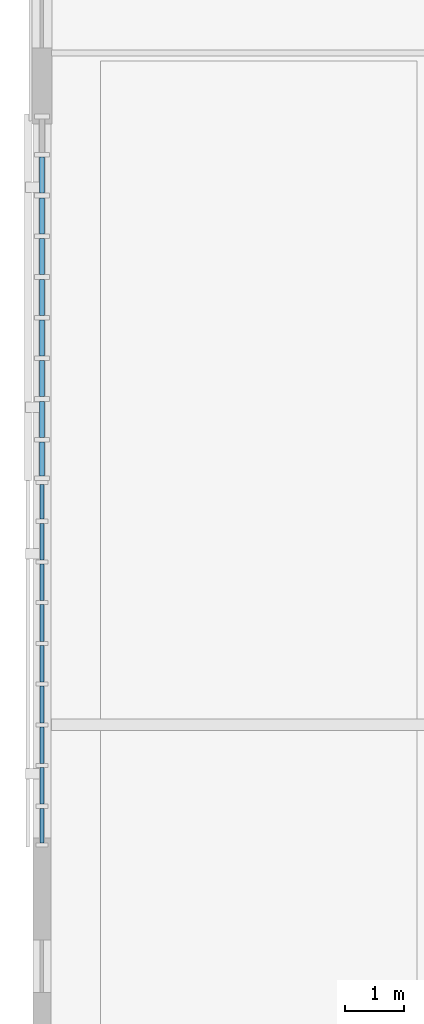
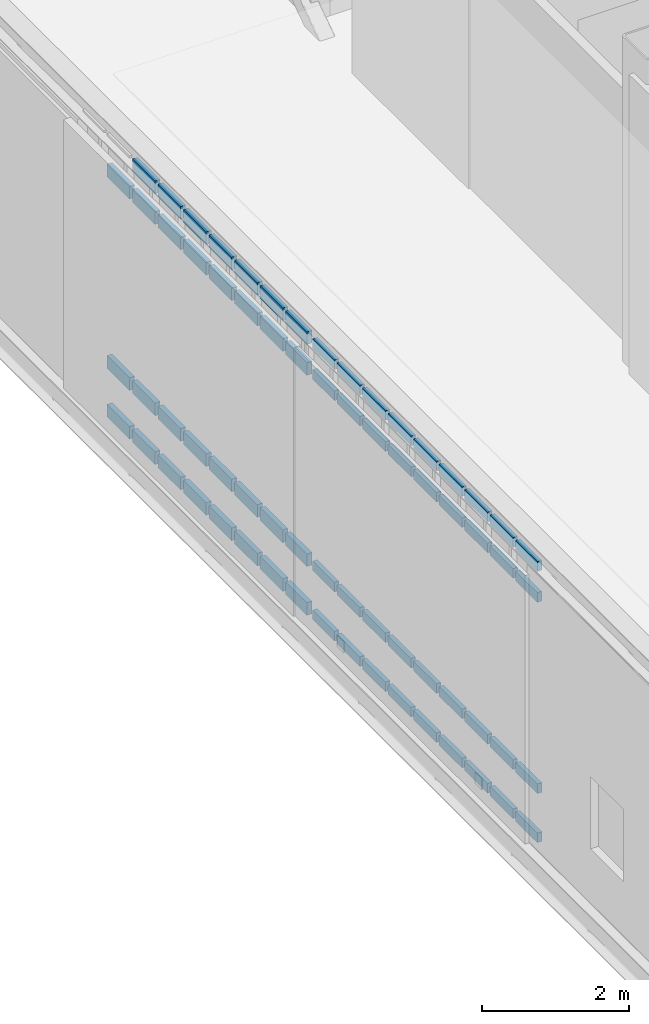
# One storey, part 58 of 127: 67 members, 2 elements without a shape of their own.
"""IFC4 building model written with IfcOpenShell, lengths in metres."""

from ifc_helpers import new_model, si_unit, direction, frame, origin, origin_2d, place, context, subcontext, project, spatial, rectangle, extrude, material, material_profile, profile_set, type_object, element, aggregate, save


model = new_model("IFC4")

# Units and contexts
model_context = context("Model", 3, precision=1e-05, world=origin(), true_north=direction((0.0, 1.0)))
body_context = subcontext(model_context, "Body", "Model", "MODEL_VIEW")
ifc_project = project(units=[si_unit("LENGTHUNIT", "METRE"), si_unit("AREAUNIT", "SQUARE_METRE"), si_unit("VOLUMEUNIT", "CUBIC_METRE"), si_unit("PLANEANGLEUNIT", "RADIAN"), si_unit("MASSUNIT", "GRAM", prefix="KILO")], contexts=[model_context])

# Site, building, storey
site_placement = place(None, origin())
site = spatial("IfcSite", under=ifc_project, at=site_placement, CompositionType="ELEMENT")
building_placement = place(site_placement, origin())
building = spatial("IfcBuilding", under=site, at=building_placement, Name="Larkvane Passage Sports Hall", CompositionType="ELEMENT")
storey_placement = place(building_placement, frame((0.0, 0.0, 5.39990234375)))
storey = spatial("IfcBuildingStorey", under=building, at=storey_placement, Name="L01", CompositionType="ELEMENT", Elevation=5.39990234375)

# Curtain wall, members
ifc_material_1 = material(Name="Thermally broken aluminium and low-E glazing", Category="aluminium")
curtain_wall_type_1 = type_object("IfcCurtainWallType", Name="CW-UNIT-VEIL", PredefinedType="USERDEFINED", material=ifc_material_1)
curtain_wall_1_placement = place(storey_placement, origin())
curtain_wall_1 = element("IfcCurtainWall", 1, at=curtain_wall_1_placement, inside=storey, type_object=curtain_wall_type_1, Name="Curtain wall CW5-L01-037", ObjectType="UNITISED CURTAIN WALL", PredefinedType="USERDEFINED")
ifc_material_2 = material(Name="Anodised aluminium 6063-T6", Category="aluminium")
ifc_material_profile_1 = material_profile(ifc_material_2, rectangle(XDim=0.070068359375, YDim=0.159912109375, at=origin_2d()), Name="ALU-TRN-70x160")
ifc_profile_set_1 = profile_set([ifc_material_profile_1], Name="Anodised aluminium 6063-T6")
member_type_1 = type_object("IfcMemberType", Name="CW-TRN-70x160", PredefinedType="USERDEFINED", material=ifc_profile_set_1)
member_1_placement = place(storey_placement, frame((27.800048828125, 66.65185546875, 0.03515625), z_axis=(0.0, 1.0, 0.0), x_axis=(-1.0, 0.0, 0.0)))
member_1 = element("IfcMember", 2, at=member_1_placement, type_object=member_type_1, Name="CW-02 transom 1.1", ObjectType="TRANSOM", PredefinedType="USERDEFINED", context=body_context, shape_type="SweptSolid", body=[
    extrude(rectangle(XDim=0.070068359375, YDim=0.159912109375, at=origin_2d()), origin(), (0.0, 0.0, 1.0), 0.58984375),
])
member_2_placement = place(storey_placement, frame((27.800048828125, 66.65185546875, 0.85009765625), z_axis=(0.0, 1.0, 0.0), x_axis=(-1.0, 0.0, 0.0)))
member_2 = element("IfcMember", 3, at=member_2_placement, type_object=member_type_1, Name="CW-02 transom 1.2", ObjectType="TRANSOM", PredefinedType="USERDEFINED", context=body_context, shape_type="SweptSolid", body=[
    extrude(rectangle(XDim=0.070068359375, YDim=0.159912109375, at=origin_2d()), origin(), (0.0, 0.0, 1.0), 0.58984375),
])
member_3_placement = place(storey_placement, frame((27.800048828125, 66.65185546875, 4.028076171875), z_axis=(0.0, 1.0, 0.0), x_axis=(-1.0, 0.0, 0.0)))
member_3 = element("IfcMember", 4, at=member_3_placement, type_object=member_type_1, Name="CW-02 transom 1.3", ObjectType="TRANSOM", PredefinedType="USERDEFINED", context=body_context, shape_type="SweptSolid", body=[
    extrude(rectangle(XDim=0.070068359375, YDim=0.159912109375, at=origin_2d()), origin(), (0.0, 0.0, 1.0), 0.58984375),
])
member_4_placement = place(storey_placement, frame((27.800048828125, 66.65185546875, 4.543212890625), z_axis=(0.0, 1.0, 0.0), x_axis=(-1.0, 0.0, 0.0)))
member_4 = element("IfcMember", 5, at=member_4_placement, type_object=member_type_1, Name="CW-02 transom 1.4", ObjectType="TRANSOM", PredefinedType="USERDEFINED", context=body_context, shape_type="SweptSolid", body=[
    extrude(rectangle(XDim=0.070068359375, YDim=0.159912109375, at=origin_2d()), origin(), (0.0, 0.0, 1.0), 0.58984375),
])
member_5_placement = place(storey_placement, frame((27.800048828125, 67.311767578125, 0.03515625), z_axis=(0.0, 1.0, 0.0), x_axis=(-1.0, 0.0, 0.0)))
member_5 = element("IfcMember", 6, at=member_5_placement, type_object=member_type_1, Name="CW-02 transom 2.1", ObjectType="TRANSOM", PredefinedType="USERDEFINED", context=body_context, shape_type="SweptSolid", body=[
    extrude(rectangle(XDim=0.070068359375, YDim=0.159912109375, at=origin_2d()), origin(), (0.0, 0.0, 1.0), 0.625),
])
member_6_placement = place(storey_placement, frame((27.800048828125, 67.311767578125, 0.85009765625), z_axis=(0.0, 1.0, 0.0), x_axis=(-1.0, 0.0, 0.0)))
member_6 = element("IfcMember", 7, at=member_6_placement, type_object=member_type_1, Name="CW-02 transom 2.2", ObjectType="TRANSOM", PredefinedType="USERDEFINED", context=body_context, shape_type="SweptSolid", body=[
    extrude(rectangle(XDim=0.070068359375, YDim=0.159912109375, at=origin_2d()), origin(), (0.0, 0.0, 1.0), 0.625),
])
member_7_placement = place(storey_placement, frame((27.800048828125, 67.311767578125, 4.028076171875), z_axis=(0.0, 1.0, 0.0), x_axis=(-1.0, 0.0, 0.0)))
member_7 = element("IfcMember", 8, at=member_7_placement, type_object=member_type_1, Name="CW-02 transom 2.3", ObjectType="TRANSOM", PredefinedType="USERDEFINED", context=body_context, shape_type="SweptSolid", body=[
    extrude(rectangle(XDim=0.070068359375, YDim=0.159912109375, at=origin_2d()), origin(), (0.0, 0.0, 1.0), 0.625),
])
member_8_placement = place(storey_placement, frame((27.800048828125, 67.311767578125, 4.543212890625), z_axis=(0.0, 1.0, 0.0), x_axis=(-1.0, 0.0, 0.0)))
member_8 = element("IfcMember", 9, at=member_8_placement, type_object=member_type_1, Name="CW-02 transom 2.4", ObjectType="TRANSOM", PredefinedType="USERDEFINED", context=body_context, shape_type="SweptSolid", body=[
    extrude(rectangle(XDim=0.070068359375, YDim=0.159912109375, at=origin_2d()), origin(), (0.0, 0.0, 1.0), 0.625),
])
member_9_placement = place(storey_placement, frame((27.800048828125, 68.006591796875, 0.03515625), z_axis=(0.0, 1.0, 0.0), x_axis=(-1.0, 0.0, 0.0)))
member_9 = element("IfcMember", 10, at=member_9_placement, type_object=member_type_1, Name="CW-02 transom 3.1", ObjectType="TRANSOM", PredefinedType="USERDEFINED", context=body_context, shape_type="SweptSolid", body=[
    extrude(rectangle(XDim=0.070068359375, YDim=0.159912109375, at=origin_2d()), origin(), (0.0, 0.0, 1.0), 0.625),
])
member_10_placement = place(storey_placement, frame((27.800048828125, 68.006591796875, 0.85009765625), z_axis=(0.0, 1.0, 0.0), x_axis=(-1.0, 0.0, 0.0)))
member_10 = element("IfcMember", 11, at=member_10_placement, type_object=member_type_1, Name="CW-02 transom 3.2", ObjectType="TRANSOM", PredefinedType="USERDEFINED", context=body_context, shape_type="SweptSolid", body=[
    extrude(rectangle(XDim=0.070068359375, YDim=0.159912109375, at=origin_2d()), origin(), (0.0, 0.0, 1.0), 0.625),
])
member_11_placement = place(storey_placement, frame((27.800048828125, 68.006591796875, 4.028076171875), z_axis=(0.0, 1.0, 0.0), x_axis=(-1.0, 0.0, 0.0)))
member_11 = element("IfcMember", 12, at=member_11_placement, type_object=member_type_1, Name="CW-02 transom 3.3", ObjectType="TRANSOM", PredefinedType="USERDEFINED", context=body_context, shape_type="SweptSolid", body=[
    extrude(rectangle(XDim=0.070068359375, YDim=0.159912109375, at=origin_2d()), origin(), (0.0, 0.0, 1.0), 0.625),
])
member_12_placement = place(storey_placement, frame((27.800048828125, 68.006591796875, 4.543212890625), z_axis=(0.0, 1.0, 0.0), x_axis=(-1.0, 0.0, 0.0)))
member_12 = element("IfcMember", 13, at=member_12_placement, type_object=member_type_1, Name="CW-02 transom 3.4", ObjectType="TRANSOM", PredefinedType="USERDEFINED", context=body_context, shape_type="SweptSolid", body=[
    extrude(rectangle(XDim=0.070068359375, YDim=0.159912109375, at=origin_2d()), origin(), (0.0, 0.0, 1.0), 0.625),
])
member_13_placement = place(storey_placement, frame((27.800048828125, 68.70166015625, 0.03515625), z_axis=(0.0, 1.0, 0.0), x_axis=(-1.0, 0.0, 0.0)))
member_13 = element("IfcMember", 14, at=member_13_placement, type_object=member_type_1, Name="CW-02 transom 4.1", ObjectType="TRANSOM", PredefinedType="USERDEFINED", context=body_context, shape_type="SweptSolid", body=[
    extrude(rectangle(XDim=0.070068359375, YDim=0.159912109375, at=origin_2d()), origin(), (0.0, 0.0, 1.0), 0.625),
])
member_14_placement = place(storey_placement, frame((27.800048828125, 68.70166015625, 0.85009765625), z_axis=(0.0, 1.0, 0.0), x_axis=(-1.0, 0.0, 0.0)))
member_14 = element("IfcMember", 15, at=member_14_placement, type_object=member_type_1, Name="CW-02 transom 4.2", ObjectType="TRANSOM", PredefinedType="USERDEFINED", context=body_context, shape_type="SweptSolid", body=[
    extrude(rectangle(XDim=0.070068359375, YDim=0.159912109375, at=origin_2d()), origin(), (0.0, 0.0, 1.0), 0.625),
])
member_15_placement = place(storey_placement, frame((27.800048828125, 68.70166015625, 4.028076171875), z_axis=(0.0, 1.0, 0.0), x_axis=(-1.0, 0.0, 0.0)))
member_15 = element("IfcMember", 16, at=member_15_placement, type_object=member_type_1, Name="CW-02 transom 4.3", ObjectType="TRANSOM", PredefinedType="USERDEFINED", context=body_context, shape_type="SweptSolid", body=[
    extrude(rectangle(XDim=0.070068359375, YDim=0.159912109375, at=origin_2d()), origin(), (0.0, 0.0, 1.0), 0.625),
])
member_16_placement = place(storey_placement, frame((27.800048828125, 68.70166015625, 4.543212890625), z_axis=(0.0, 1.0, 0.0), x_axis=(-1.0, 0.0, 0.0)))
member_16 = element("IfcMember", 17, at=member_16_placement, type_object=member_type_1, Name="CW-02 transom 4.4", ObjectType="TRANSOM", PredefinedType="USERDEFINED", context=body_context, shape_type="SweptSolid", body=[
    extrude(rectangle(XDim=0.070068359375, YDim=0.159912109375, at=origin_2d()), origin(), (0.0, 0.0, 1.0), 0.625),
])
member_17_placement = place(storey_placement, frame((27.800048828125, 69.396728515625, 0.03515625), z_axis=(0.0, 1.0, 0.0), x_axis=(-1.0, 0.0, 0.0)))
member_17 = element("IfcMember", 18, at=member_17_placement, type_object=member_type_1, Name="CW-02 transom 5.1", ObjectType="TRANSOM", PredefinedType="USERDEFINED", context=body_context, shape_type="SweptSolid", body=[
    extrude(rectangle(XDim=0.070068359375, YDim=0.159912109375, at=origin_2d()), origin(), (0.0, 0.0, 1.0), 0.624755859375),
])
member_18_placement = place(storey_placement, frame((27.800048828125, 69.396728515625, 0.85009765625), z_axis=(0.0, 1.0, 0.0), x_axis=(-1.0, 0.0, 0.0)))
member_18 = element("IfcMember", 19, at=member_18_placement, type_object=member_type_1, Name="CW-02 transom 5.2", ObjectType="TRANSOM", PredefinedType="USERDEFINED", context=body_context, shape_type="SweptSolid", body=[
    extrude(rectangle(XDim=0.070068359375, YDim=0.159912109375, at=origin_2d()), origin(), (0.0, 0.0, 1.0), 0.624755859375),
])
member_19_placement = place(storey_placement, frame((27.800048828125, 69.396728515625, 4.028076171875), z_axis=(0.0, 1.0, 0.0), x_axis=(-1.0, 0.0, 0.0)))
member_19 = element("IfcMember", 20, at=member_19_placement, type_object=member_type_1, Name="CW-02 transom 5.3", ObjectType="TRANSOM", PredefinedType="USERDEFINED", context=body_context, shape_type="SweptSolid", body=[
    extrude(rectangle(XDim=0.070068359375, YDim=0.159912109375, at=origin_2d()), origin(), (0.0, 0.0, 1.0), 0.624755859375),
])
member_20_placement = place(storey_placement, frame((27.800048828125, 69.396728515625, 4.543212890625), z_axis=(0.0, 1.0, 0.0), x_axis=(-1.0, 0.0, 0.0)))
member_20 = element("IfcMember", 21, at=member_20_placement, type_object=member_type_1, Name="CW-02 transom 5.4", ObjectType="TRANSOM", PredefinedType="USERDEFINED", context=body_context, shape_type="SweptSolid", body=[
    extrude(rectangle(XDim=0.070068359375, YDim=0.159912109375, at=origin_2d()), origin(), (0.0, 0.0, 1.0), 0.624755859375),
])
member_21_placement = place(storey_placement, frame((27.800048828125, 70.091552734375, 0.03515625), z_axis=(0.0, 1.0, 0.0), x_axis=(-1.0, 0.0, 0.0)))
member_21 = element("IfcMember", 22, at=member_21_placement, type_object=member_type_1, Name="CW-02 transom 6.1", ObjectType="TRANSOM", PredefinedType="USERDEFINED", context=body_context, shape_type="SweptSolid", body=[
    extrude(rectangle(XDim=0.070068359375, YDim=0.159912109375, at=origin_2d()), origin(), (0.0, 0.0, 1.0), 0.625),
])
member_22_placement = place(storey_placement, frame((27.800048828125, 70.091552734375, 0.85009765625), z_axis=(0.0, 1.0, 0.0), x_axis=(-1.0, 0.0, 0.0)))
member_22 = element("IfcMember", 23, at=member_22_placement, type_object=member_type_1, Name="CW-02 transom 6.2", ObjectType="TRANSOM", PredefinedType="USERDEFINED", context=body_context, shape_type="SweptSolid", body=[
    extrude(rectangle(XDim=0.070068359375, YDim=0.159912109375, at=origin_2d()), origin(), (0.0, 0.0, 1.0), 0.625),
])
member_23_placement = place(storey_placement, frame((27.800048828125, 70.091552734375, 4.028076171875), z_axis=(0.0, 1.0, 0.0), x_axis=(-1.0, 0.0, 0.0)))
member_23 = element("IfcMember", 24, at=member_23_placement, type_object=member_type_1, Name="CW-02 transom 6.3", ObjectType="TRANSOM", PredefinedType="USERDEFINED", context=body_context, shape_type="SweptSolid", body=[
    extrude(rectangle(XDim=0.070068359375, YDim=0.159912109375, at=origin_2d()), origin(), (0.0, 0.0, 1.0), 0.625),
])
member_24_placement = place(storey_placement, frame((27.800048828125, 70.091552734375, 4.543212890625), z_axis=(0.0, 1.0, 0.0), x_axis=(-1.0, 0.0, 0.0)))
member_24 = element("IfcMember", 25, at=member_24_placement, type_object=member_type_1, Name="CW-02 transom 6.4", ObjectType="TRANSOM", PredefinedType="USERDEFINED", context=body_context, shape_type="SweptSolid", body=[
    extrude(rectangle(XDim=0.070068359375, YDim=0.159912109375, at=origin_2d()), origin(), (0.0, 0.0, 1.0), 0.625),
])
member_25_placement = place(storey_placement, frame((27.800048828125, 70.78662109375, 0.03515625), z_axis=(0.0, 1.0, 0.0), x_axis=(-1.0, 0.0, 0.0)))
member_25 = element("IfcMember", 26, at=member_25_placement, type_object=member_type_1, Name="CW-02 transom 7.1", ObjectType="TRANSOM", PredefinedType="USERDEFINED", context=body_context, shape_type="SweptSolid", body=[
    extrude(rectangle(XDim=0.070068359375, YDim=0.159912109375, at=origin_2d()), origin(), (0.0, 0.0, 1.0), 0.624755859375),
])
member_26_placement = place(storey_placement, frame((27.800048828125, 70.78662109375, 0.85009765625), z_axis=(0.0, 1.0, 0.0), x_axis=(-1.0, 0.0, 0.0)))
member_26 = element("IfcMember", 27, at=member_26_placement, type_object=member_type_1, Name="CW-02 transom 7.2", ObjectType="TRANSOM", PredefinedType="USERDEFINED", context=body_context, shape_type="SweptSolid", body=[
    extrude(rectangle(XDim=0.070068359375, YDim=0.159912109375, at=origin_2d()), origin(), (0.0, 0.0, 1.0), 0.624755859375),
])
member_27_placement = place(storey_placement, frame((27.800048828125, 70.78662109375, 4.028076171875), z_axis=(0.0, 1.0, 0.0), x_axis=(-1.0, 0.0, 0.0)))
member_27 = element("IfcMember", 28, at=member_27_placement, type_object=member_type_1, Name="CW-02 transom 7.3", ObjectType="TRANSOM", PredefinedType="USERDEFINED", context=body_context, shape_type="SweptSolid", body=[
    extrude(rectangle(XDim=0.070068359375, YDim=0.159912109375, at=origin_2d()), origin(), (0.0, 0.0, 1.0), 0.624755859375),
])
member_28_placement = place(storey_placement, frame((27.800048828125, 70.78662109375, 4.543212890625), z_axis=(0.0, 1.0, 0.0), x_axis=(-1.0, 0.0, 0.0)))
member_28 = element("IfcMember", 29, at=member_28_placement, type_object=member_type_1, Name="CW-02 transom 7.4", ObjectType="TRANSOM", PredefinedType="USERDEFINED", context=body_context, shape_type="SweptSolid", body=[
    extrude(rectangle(XDim=0.070068359375, YDim=0.159912109375, at=origin_2d()), origin(), (0.0, 0.0, 1.0), 0.624755859375),
])
member_29_placement = place(storey_placement, frame((27.800048828125, 71.4814453125, 0.03515625), z_axis=(0.0, 1.0, 0.0), x_axis=(-1.0, 0.0, 0.0)))
member_29 = element("IfcMember", 30, at=member_29_placement, type_object=member_type_1, Name="CW-02 transom 8.1", ObjectType="TRANSOM", PredefinedType="USERDEFINED", context=body_context, shape_type="SweptSolid", body=[
    extrude(rectangle(XDim=0.070068359375, YDim=0.159912109375, at=origin_2d()), origin(), (0.0, 0.0, 1.0), 0.625),
])
member_30_placement = place(storey_placement, frame((27.800048828125, 71.4814453125, 0.85009765625), z_axis=(0.0, 1.0, 0.0), x_axis=(-1.0, 0.0, 0.0)))
member_30 = element("IfcMember", 31, at=member_30_placement, type_object=member_type_1, Name="CW-02 transom 8.2", ObjectType="TRANSOM", PredefinedType="USERDEFINED", context=body_context, shape_type="SweptSolid", body=[
    extrude(rectangle(XDim=0.070068359375, YDim=0.159912109375, at=origin_2d()), origin(), (0.0, 0.0, 1.0), 0.625),
])
member_31_placement = place(storey_placement, frame((27.800048828125, 71.4814453125, 4.028076171875), z_axis=(0.0, 1.0, 0.0), x_axis=(-1.0, 0.0, 0.0)))
member_31 = element("IfcMember", 32, at=member_31_placement, type_object=member_type_1, Name="CW-02 transom 8.3", ObjectType="TRANSOM", PredefinedType="USERDEFINED", context=body_context, shape_type="SweptSolid", body=[
    extrude(rectangle(XDim=0.070068359375, YDim=0.159912109375, at=origin_2d()), origin(), (0.0, 0.0, 1.0), 0.625),
])
member_32_placement = place(storey_placement, frame((27.800048828125, 71.4814453125, 4.543212890625), z_axis=(0.0, 1.0, 0.0), x_axis=(-1.0, 0.0, 0.0)))
member_32 = element("IfcMember", 33, at=member_32_placement, type_object=member_type_1, Name="CW-02 transom 8.4", ObjectType="TRANSOM", PredefinedType="USERDEFINED", context=body_context, shape_type="SweptSolid", body=[
    extrude(rectangle(XDim=0.070068359375, YDim=0.159912109375, at=origin_2d()), origin(), (0.0, 0.0, 1.0), 0.625),
])
member_33_placement = place(storey_placement, frame((27.800048828125, 72.176513671875, 0.03515625), z_axis=(0.0, 1.0, 0.0), x_axis=(-1.0, 0.0, 0.0)))
member_33 = element("IfcMember", 34, at=member_33_placement, type_object=member_type_1, Name="CW-02 transom 9.1", ObjectType="TRANSOM", PredefinedType="USERDEFINED", context=body_context, shape_type="SweptSolid", body=[
    extrude(rectangle(XDim=0.070068359375, YDim=0.159912109375, at=origin_2d()), origin(), (0.0, 0.0, 1.0), 0.58984375),
])
member_34_placement = place(storey_placement, frame((27.800048828125, 72.176513671875, 0.85009765625), z_axis=(0.0, 1.0, 0.0), x_axis=(-1.0, 0.0, 0.0)))
member_34 = element("IfcMember", 35, at=member_34_placement, type_object=member_type_1, Name="CW-02 transom 9.2", ObjectType="TRANSOM", PredefinedType="USERDEFINED", context=body_context, shape_type="SweptSolid", body=[
    extrude(rectangle(XDim=0.070068359375, YDim=0.159912109375, at=origin_2d()), origin(), (0.0, 0.0, 1.0), 0.58984375),
])
member_35_placement = place(storey_placement, frame((27.800048828125, 72.176513671875, 4.028076171875), z_axis=(0.0, 1.0, 0.0), x_axis=(-1.0, 0.0, 0.0)))
member_35 = element("IfcMember", 36, at=member_35_placement, type_object=member_type_1, Name="CW-02 transom 9.3", ObjectType="TRANSOM", PredefinedType="USERDEFINED", context=body_context, shape_type="SweptSolid", body=[
    extrude(rectangle(XDim=0.070068359375, YDim=0.159912109375, at=origin_2d()), origin(), (0.0, 0.0, 1.0), 0.58984375),
])
member_36_placement = place(storey_placement, frame((27.800048828125, 72.176513671875, 4.543212890625), z_axis=(0.0, 1.0, 0.0), x_axis=(-1.0, 0.0, 0.0)))
member_36 = element("IfcMember", 37, at=member_36_placement, type_object=member_type_1, Name="CW-02 transom 9.4", ObjectType="TRANSOM", PredefinedType="USERDEFINED", context=body_context, shape_type="SweptSolid", body=[
    extrude(rectangle(XDim=0.070068359375, YDim=0.159912109375, at=origin_2d()), origin(), (0.0, 0.0, 1.0), 0.58984375),
])
aggregate(curtain_wall_1, [member_1, member_2, member_3, member_4, member_5, member_6, member_7, member_8, member_9, member_10, member_11, member_12, member_13, member_14, member_15, member_16, member_17, member_18, member_19, member_20, member_21, member_22, member_23, member_24, member_25, member_26, member_27, member_28, member_29, member_30, member_31, member_32, member_33, member_34, member_35, member_36])

curtain_wall_type_2 = type_object("IfcCurtainWallType", Name="CW-STICK-FOYER", PredefinedType="USERDEFINED", material=ifc_material_1)
curtain_wall_2_placement = place(storey_placement, origin())
curtain_wall_2 = element("IfcCurtainWall", 38, at=curtain_wall_2_placement, inside=storey, type_object=curtain_wall_type_2, Name="Curtain wall CW5-L01-038", ObjectType="STICK CURTAIN WALL", PredefinedType="USERDEFINED")
ifc_material_profile_2 = material_profile(ifc_material_2, rectangle(XDim=0.080078125, YDim=0.2099609375, at=origin_2d()), Name="ALU-TRN-80x210")
ifc_profile_set_2 = profile_set([ifc_material_profile_2], Name="Anodised aluminium 6063-T6")
member_type_2 = type_object("IfcMemberType", Name="CW-TRN-80x210", PredefinedType="USERDEFINED", material=ifc_profile_set_2)
member_37_placement = place(storey_placement, frame((27.800048828125, 72.91650390625, 0.0400390625), z_axis=(0.0, 1.0, 0.0), x_axis=(-1.0, 0.0, 0.0)))
member_37 = element("IfcMember", 39, at=member_37_placement, type_object=member_type_2, Name="CW-03 transom 1.1", ObjectType="TRANSOM", PredefinedType="USERDEFINED", context=body_context, shape_type="SweptSolid", body=[
    extrude(rectangle(XDim=0.080078125, YDim=0.2099609375, at=origin_2d()), origin(), (0.0, 0.0, 1.0), 0.574951171875),
])
member_38_placement = place(storey_placement, frame((27.800048828125, 72.91650390625, 0.85009765625), z_axis=(0.0, 1.0, 0.0), x_axis=(-1.0, 0.0, 0.0)))
member_38 = element("IfcMember", 40, at=member_38_placement, type_object=member_type_2, Name="CW-03 transom 1.2", ObjectType="TRANSOM", PredefinedType="USERDEFINED", context=body_context, shape_type="SweptSolid", body=[
    extrude(rectangle(XDim=0.080078125, YDim=0.2099609375, at=origin_2d()), origin(), (0.0, 0.0, 1.0), 0.574951171875),
])
member_39_placement = place(storey_placement, frame((27.800048828125, 72.91650390625, 4.028076171875), z_axis=(0.0, 1.0, 0.0), x_axis=(-1.0, 0.0, 0.0)))
member_39 = element("IfcMember", 41, at=member_39_placement, type_object=member_type_2, Name="CW-03 transom 1.3", ObjectType="TRANSOM", PredefinedType="USERDEFINED", context=body_context, shape_type="SweptSolid", body=[
    extrude(rectangle(XDim=0.080078125, YDim=0.2099609375, at=origin_2d()), origin(), (0.0, 0.0, 1.0), 0.574951171875),
])
member_40_placement = place(storey_placement, frame((27.800048828125, 72.91650390625, 4.5380859375), z_axis=(0.0, 1.0, 0.0), x_axis=(-1.0, 0.0, 0.0)))
member_40 = element("IfcMember", 42, at=member_40_placement, type_object=member_type_2, Name="CW-03 transom 1.4", ObjectType="TRANSOM", PredefinedType="USERDEFINED", context=body_context, shape_type="SweptSolid", body=[
    extrude(rectangle(XDim=0.080078125, YDim=0.2099609375, at=origin_2d()), origin(), (0.0, 0.0, 1.0), 0.574951171875),
])
member_41_placement = place(storey_placement, frame((27.800048828125, 73.5712890625, 0.0400390625), z_axis=(0.0, 1.0, 0.0), x_axis=(-1.0, 0.0, 0.0)))
member_41 = element("IfcMember", 43, at=member_41_placement, type_object=member_type_2, Name="CW-03 transom 2.1", ObjectType="TRANSOM", PredefinedType="USERDEFINED", context=body_context, shape_type="SweptSolid", body=[
    extrude(rectangle(XDim=0.080078125, YDim=0.2099609375, at=origin_2d()), origin(), (0.0, 0.0, 1.0), 0.614990234375),
])
member_42_placement = place(storey_placement, frame((27.800048828125, 73.5712890625, 0.85009765625), z_axis=(0.0, 1.0, 0.0), x_axis=(-1.0, 0.0, 0.0)))
member_42 = element("IfcMember", 44, at=member_42_placement, type_object=member_type_2, Name="CW-03 transom 2.2", ObjectType="TRANSOM", PredefinedType="USERDEFINED", context=body_context, shape_type="SweptSolid", body=[
    extrude(rectangle(XDim=0.080078125, YDim=0.2099609375, at=origin_2d()), origin(), (0.0, 0.0, 1.0), 0.614990234375),
])
member_43_placement = place(storey_placement, frame((27.800048828125, 73.5712890625, 4.028076171875), z_axis=(0.0, 1.0, 0.0), x_axis=(-1.0, 0.0, 0.0)))
member_43 = element("IfcMember", 45, at=member_43_placement, type_object=member_type_2, Name="CW-03 transom 2.3", ObjectType="TRANSOM", PredefinedType="USERDEFINED", context=body_context, shape_type="SweptSolid", body=[
    extrude(rectangle(XDim=0.080078125, YDim=0.2099609375, at=origin_2d()), origin(), (0.0, 0.0, 1.0), 0.614990234375),
])
member_44_placement = place(storey_placement, frame((27.800048828125, 73.5712890625, 4.5380859375), z_axis=(0.0, 1.0, 0.0), x_axis=(-1.0, 0.0, 0.0)))
member_44 = element("IfcMember", 46, at=member_44_placement, type_object=member_type_2, Name="CW-03 transom 2.4", ObjectType="TRANSOM", PredefinedType="USERDEFINED", context=body_context, shape_type="SweptSolid", body=[
    extrude(rectangle(XDim=0.080078125, YDim=0.2099609375, at=origin_2d()), origin(), (0.0, 0.0, 1.0), 0.614990234375),
])
member_45_placement = place(storey_placement, frame((27.800048828125, 74.266357421875, 0.0400390625), z_axis=(0.0, 1.0, 0.0), x_axis=(-1.0, 0.0, 0.0)))
member_45 = element("IfcMember", 47, at=member_45_placement, type_object=member_type_2, Name="CW-03 transom 3.1", ObjectType="TRANSOM", PredefinedType="USERDEFINED", context=body_context, shape_type="SweptSolid", body=[
    extrude(rectangle(XDim=0.080078125, YDim=0.2099609375, at=origin_2d()), origin(), (0.0, 0.0, 1.0), 0.614990234375),
])
member_46_placement = place(storey_placement, frame((27.800048828125, 74.266357421875, 0.85009765625), z_axis=(0.0, 1.0, 0.0), x_axis=(-1.0, 0.0, 0.0)))
member_46 = element("IfcMember", 48, at=member_46_placement, type_object=member_type_2, Name="CW-03 transom 3.2", ObjectType="TRANSOM", PredefinedType="USERDEFINED", context=body_context, shape_type="SweptSolid", body=[
    extrude(rectangle(XDim=0.080078125, YDim=0.2099609375, at=origin_2d()), origin(), (0.0, 0.0, 1.0), 0.614990234375),
])
member_47_placement = place(storey_placement, frame((27.800048828125, 74.266357421875, 4.028076171875), z_axis=(0.0, 1.0, 0.0), x_axis=(-1.0, 0.0, 0.0)))
member_47 = element("IfcMember", 49, at=member_47_placement, type_object=member_type_2, Name="CW-03 transom 3.3", ObjectType="TRANSOM", PredefinedType="USERDEFINED", context=body_context, shape_type="SweptSolid", body=[
    extrude(rectangle(XDim=0.080078125, YDim=0.2099609375, at=origin_2d()), origin(), (0.0, 0.0, 1.0), 0.614990234375),
])
member_48_placement = place(storey_placement, frame((27.800048828125, 74.266357421875, 4.5380859375), z_axis=(0.0, 1.0, 0.0), x_axis=(-1.0, 0.0, 0.0)))
member_48 = element("IfcMember", 50, at=member_48_placement, type_object=member_type_2, Name="CW-03 transom 3.4", ObjectType="TRANSOM", PredefinedType="USERDEFINED", context=body_context, shape_type="SweptSolid", body=[
    extrude(rectangle(XDim=0.080078125, YDim=0.2099609375, at=origin_2d()), origin(), (0.0, 0.0, 1.0), 0.614990234375),
])
member_49_placement = place(storey_placement, frame((27.800048828125, 74.961181640625, 0.0400390625), z_axis=(0.0, 1.0, 0.0), x_axis=(-1.0, 0.0, 0.0)))
member_49 = element("IfcMember", 51, at=member_49_placement, type_object=member_type_2, Name="CW-03 transom 4.1", ObjectType="TRANSOM", PredefinedType="USERDEFINED", context=body_context, shape_type="SweptSolid", body=[
    extrude(rectangle(XDim=0.080078125, YDim=0.2099609375, at=origin_2d()), origin(), (0.0, 0.0, 1.0), 0.614990234375),
])
member_50_placement = place(storey_placement, frame((27.800048828125, 74.961181640625, 0.85009765625), z_axis=(0.0, 1.0, 0.0), x_axis=(-1.0, 0.0, 0.0)))
member_50 = element("IfcMember", 52, at=member_50_placement, type_object=member_type_2, Name="CW-03 transom 4.2", ObjectType="TRANSOM", PredefinedType="USERDEFINED", context=body_context, shape_type="SweptSolid", body=[
    extrude(rectangle(XDim=0.080078125, YDim=0.2099609375, at=origin_2d()), origin(), (0.0, 0.0, 1.0), 0.614990234375),
])
member_51_placement = place(storey_placement, frame((27.800048828125, 74.961181640625, 4.028076171875), z_axis=(0.0, 1.0, 0.0), x_axis=(-1.0, 0.0, 0.0)))
member_51 = element("IfcMember", 53, at=member_51_placement, type_object=member_type_2, Name="CW-03 transom 4.3", ObjectType="TRANSOM", PredefinedType="USERDEFINED", context=body_context, shape_type="SweptSolid", body=[
    extrude(rectangle(XDim=0.080078125, YDim=0.2099609375, at=origin_2d()), origin(), (0.0, 0.0, 1.0), 0.614990234375),
])
member_52_placement = place(storey_placement, frame((27.800048828125, 74.961181640625, 4.5380859375), z_axis=(0.0, 1.0, 0.0), x_axis=(-1.0, 0.0, 0.0)))
member_52 = element("IfcMember", 54, at=member_52_placement, type_object=member_type_2, Name="CW-03 transom 4.4", ObjectType="TRANSOM", PredefinedType="USERDEFINED", context=body_context, shape_type="SweptSolid", body=[
    extrude(rectangle(XDim=0.080078125, YDim=0.2099609375, at=origin_2d()), origin(), (0.0, 0.0, 1.0), 0.614990234375),
])
member_53_placement = place(storey_placement, frame((27.800048828125, 75.65625, 0.0400390625), z_axis=(0.0, 1.0, 0.0), x_axis=(-1.0, 0.0, 0.0)))
member_53 = element("IfcMember", 55, at=member_53_placement, type_object=member_type_2, Name="CW-03 transom 5.1", ObjectType="TRANSOM", PredefinedType="USERDEFINED", context=body_context, shape_type="SweptSolid", body=[
    extrude(rectangle(XDim=0.080078125, YDim=0.2099609375, at=origin_2d()), origin(), (0.0, 0.0, 1.0), 0.614990234375),
])
member_54_placement = place(storey_placement, frame((27.800048828125, 75.65625, 0.85009765625), z_axis=(0.0, 1.0, 0.0), x_axis=(-1.0, 0.0, 0.0)))
member_54 = element("IfcMember", 56, at=member_54_placement, type_object=member_type_2, Name="CW-03 transom 5.2", ObjectType="TRANSOM", PredefinedType="USERDEFINED", context=body_context, shape_type="SweptSolid", body=[
    extrude(rectangle(XDim=0.080078125, YDim=0.2099609375, at=origin_2d()), origin(), (0.0, 0.0, 1.0), 0.614990234375),
])
member_55_placement = place(storey_placement, frame((27.800048828125, 75.65625, 4.028076171875), z_axis=(0.0, 1.0, 0.0), x_axis=(-1.0, 0.0, 0.0)))
member_55 = element("IfcMember", 57, at=member_55_placement, type_object=member_type_2, Name="CW-03 transom 5.3", ObjectType="TRANSOM", PredefinedType="USERDEFINED", context=body_context, shape_type="SweptSolid", body=[
    extrude(rectangle(XDim=0.080078125, YDim=0.2099609375, at=origin_2d()), origin(), (0.0, 0.0, 1.0), 0.614990234375),
])
member_56_placement = place(storey_placement, frame((27.800048828125, 75.65625, 4.5380859375), z_axis=(0.0, 1.0, 0.0), x_axis=(-1.0, 0.0, 0.0)))
member_56 = element("IfcMember", 58, at=member_56_placement, type_object=member_type_2, Name="CW-03 transom 5.4", ObjectType="TRANSOM", PredefinedType="USERDEFINED", context=body_context, shape_type="SweptSolid", body=[
    extrude(rectangle(XDim=0.080078125, YDim=0.2099609375, at=origin_2d()), origin(), (0.0, 0.0, 1.0), 0.614990234375),
])
member_57_placement = place(storey_placement, frame((27.800048828125, 76.35107421875, 0.0400390625), z_axis=(0.0, 1.0, 0.0), x_axis=(-1.0, 0.0, 0.0)))
member_57 = element("IfcMember", 59, at=member_57_placement, type_object=member_type_2, Name="CW-03 transom 6.1", ObjectType="TRANSOM", PredefinedType="USERDEFINED", context=body_context, shape_type="SweptSolid", body=[
    extrude(rectangle(XDim=0.080078125, YDim=0.2099609375, at=origin_2d()), origin(), (0.0, 0.0, 1.0), 0.614990234375),
])
member_58_placement = place(storey_placement, frame((27.800048828125, 76.35107421875, 0.85009765625), z_axis=(0.0, 1.0, 0.0), x_axis=(-1.0, 0.0, 0.0)))
member_58 = element("IfcMember", 60, at=member_58_placement, type_object=member_type_2, Name="CW-03 transom 6.2", ObjectType="TRANSOM", PredefinedType="USERDEFINED", context=body_context, shape_type="SweptSolid", body=[
    extrude(rectangle(XDim=0.080078125, YDim=0.2099609375, at=origin_2d()), origin(), (0.0, 0.0, 1.0), 0.614990234375),
])
member_59_placement = place(storey_placement, frame((27.800048828125, 76.35107421875, 4.028076171875), z_axis=(0.0, 1.0, 0.0), x_axis=(-1.0, 0.0, 0.0)))
member_59 = element("IfcMember", 61, at=member_59_placement, type_object=member_type_2, Name="CW-03 transom 6.3", ObjectType="TRANSOM", PredefinedType="USERDEFINED", context=body_context, shape_type="SweptSolid", body=[
    extrude(rectangle(XDim=0.080078125, YDim=0.2099609375, at=origin_2d()), origin(), (0.0, 0.0, 1.0), 0.614990234375),
])
member_60_placement = place(storey_placement, frame((27.800048828125, 76.35107421875, 4.5380859375), z_axis=(0.0, 1.0, 0.0), x_axis=(-1.0, 0.0, 0.0)))
member_60 = element("IfcMember", 62, at=member_60_placement, type_object=member_type_2, Name="CW-03 transom 6.4", ObjectType="TRANSOM", PredefinedType="USERDEFINED", context=body_context, shape_type="SweptSolid", body=[
    extrude(rectangle(XDim=0.080078125, YDim=0.2099609375, at=origin_2d()), origin(), (0.0, 0.0, 1.0), 0.614990234375),
])
member_61_placement = place(storey_placement, frame((27.800048828125, 77.046142578125, 0.0400390625), z_axis=(0.0, 1.0, 0.0), x_axis=(-1.0, 0.0, 0.0)))
member_61 = element("IfcMember", 63, at=member_61_placement, type_object=member_type_2, Name="CW-03 transom 7.1", ObjectType="TRANSOM", PredefinedType="USERDEFINED", context=body_context, shape_type="SweptSolid", body=[
    extrude(rectangle(XDim=0.080078125, YDim=0.2099609375, at=origin_2d()), origin(), (0.0, 0.0, 1.0), 0.614990234375),
])
member_62_placement = place(storey_placement, frame((27.800048828125, 77.046142578125, 0.85009765625), z_axis=(0.0, 1.0, 0.0), x_axis=(-1.0, 0.0, 0.0)))
member_62 = element("IfcMember", 64, at=member_62_placement, type_object=member_type_2, Name="CW-03 transom 7.2", ObjectType="TRANSOM", PredefinedType="USERDEFINED", context=body_context, shape_type="SweptSolid", body=[
    extrude(rectangle(XDim=0.080078125, YDim=0.2099609375, at=origin_2d()), origin(), (0.0, 0.0, 1.0), 0.614990234375),
])
member_63_placement = place(storey_placement, frame((27.800048828125, 77.046142578125, 4.028076171875), z_axis=(0.0, 1.0, 0.0), x_axis=(-1.0, 0.0, 0.0)))
member_63 = element("IfcMember", 65, at=member_63_placement, type_object=member_type_2, Name="CW-03 transom 7.3", ObjectType="TRANSOM", PredefinedType="USERDEFINED", context=body_context, shape_type="SweptSolid", body=[
    extrude(rectangle(XDim=0.080078125, YDim=0.2099609375, at=origin_2d()), origin(), (0.0, 0.0, 1.0), 0.614990234375),
])
member_64_placement = place(storey_placement, frame((27.800048828125, 77.046142578125, 4.5380859375), z_axis=(0.0, 1.0, 0.0), x_axis=(-1.0, 0.0, 0.0)))
member_64 = element("IfcMember", 66, at=member_64_placement, type_object=member_type_2, Name="CW-03 transom 7.4", ObjectType="TRANSOM", PredefinedType="USERDEFINED", context=body_context, shape_type="SweptSolid", body=[
    extrude(rectangle(XDim=0.080078125, YDim=0.2099609375, at=origin_2d()), origin(), (0.0, 0.0, 1.0), 0.614990234375),
])
member_65_placement = place(storey_placement, frame((27.800048828125, 77.740966796875, 0.0400390625), z_axis=(0.0, 1.0, 0.0), x_axis=(-1.0, 0.0, 0.0)))
member_65 = element("IfcMember", 67, at=member_65_placement, type_object=member_type_2, Name="CW-03 transom 8.1", ObjectType="TRANSOM", PredefinedType="USERDEFINED", context=body_context, shape_type="SweptSolid", body=[
    extrude(rectangle(XDim=0.080078125, YDim=0.2099609375, at=origin_2d()), origin(), (0.0, 0.0, 1.0), 0.614990234375),
])
member_66_placement = place(storey_placement, frame((27.800048828125, 77.740966796875, 0.85009765625), z_axis=(0.0, 1.0, 0.0), x_axis=(-1.0, 0.0, 0.0)))
member_66 = element("IfcMember", 68, at=member_66_placement, type_object=member_type_2, Name="CW-03 transom 8.2", ObjectType="TRANSOM", PredefinedType="USERDEFINED", context=body_context, shape_type="SweptSolid", body=[
    extrude(rectangle(XDim=0.080078125, YDim=0.2099609375, at=origin_2d()), origin(), (0.0, 0.0, 1.0), 0.614990234375),
])
member_67_placement = place(storey_placement, frame((27.800048828125, 77.740966796875, 4.028076171875), z_axis=(0.0, 1.0, 0.0), x_axis=(-1.0, 0.0, 0.0)))
member_67 = element("IfcMember", 69, at=member_67_placement, type_object=member_type_2, Name="CW-03 transom 8.3", ObjectType="TRANSOM", PredefinedType="USERDEFINED", context=body_context, shape_type="SweptSolid", body=[
    extrude(rectangle(XDim=0.080078125, YDim=0.2099609375, at=origin_2d()), origin(), (0.0, 0.0, 1.0), 0.614990234375),
])
aggregate(curtain_wall_2, [member_37, member_38, member_39, member_40, member_41, member_42, member_43, member_44, member_45, member_46, member_47, member_48, member_49, member_50, member_51, member_52, member_53, member_54, member_55, member_56, member_57, member_58, member_59, member_60, member_61, member_62, member_63, member_64, member_65, member_66, member_67])

save(model, "model.ifc")
